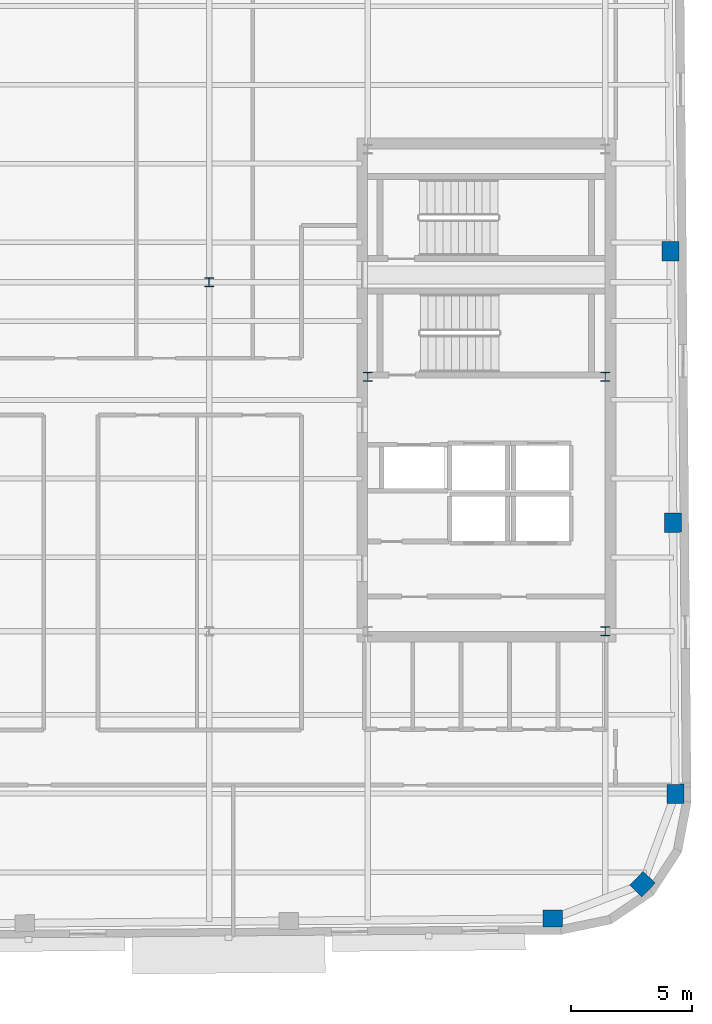
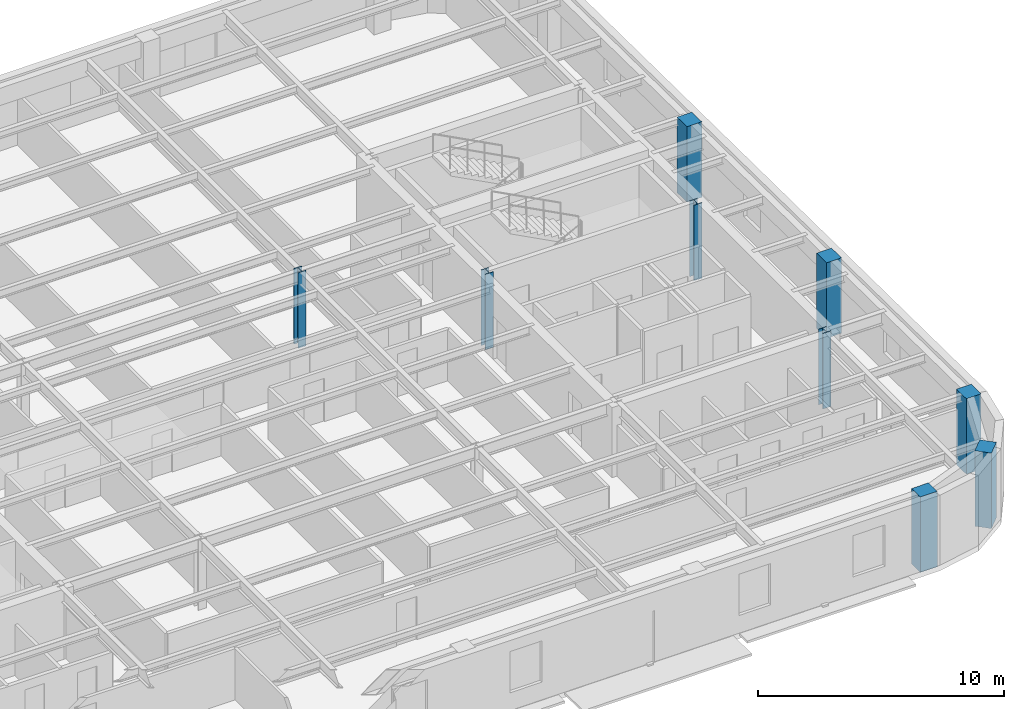
# One storey, part 2 of 13: 9 columns.
"""IFC4 building model written with IfcOpenShell, lengths in metres."""

import ifcopenshell
import ifcopenshell.guid

model = None  # the IFC model being written
_history = None  # IfcOwnerHistory: only IFC2X3 demands one
_inside = {}  # id of a spatial element -> (the spatial element, [elements in it])
_under = {}  # id of a project, library or spatial element -> (it, [spatial elements below it])
_declared = {}  # id of a project -> (the project, [libraries it declares])
_typed = {}  # id of a type object -> (the type object, [elements of that type])
_made_of = {}  # id of a material, layer set ... -> (it, [elements and type objects made of it])


def new_model(schema):
    """Start an empty IFC model of exactly this schema.

    Asked for "IFC4X3", IfcOpenShell would pick the latest addendum, in which some entities
    have other attributes; the version numbers below select the first issue.
    IFC2X3 requires an IfcOwnerHistory on every rooted entity: one is made here for all.
    """
    global model, _history
    if schema == "IFC4X3":
        model = ifcopenshell.file(schema_version=(4, 3, 0, 0))
    else:
        model = ifcopenshell.file(schema=schema)
    _inside.clear()
    _under.clear()
    _declared.clear()
    _typed.clear()
    _made_of.clear()
    _history = None
    if model.schema == "IFC2X3":
        org = make("IfcOrganization", Name="unknown")
        user = make(
            "IfcPersonAndOrganization",
            ThePerson=make("IfcPerson", FamilyName="unknown"),
            TheOrganization=org,
        )
        app = make(
            "IfcApplication",
            ApplicationDeveloper=org,
            Version="unknown",
            ApplicationFullName="unknown",
            ApplicationIdentifier="unknown",
        )
        _history = make(
            "IfcOwnerHistory",
            OwningUser=user,
            OwningApplication=app,
            ChangeAction="ADDED",
            CreationDate=0,
        )
    return model


def make(cls, **values):
    """One entity of the class cls with the attributes given. An attribute that is None is left unset."""
    return model.create_entity(
        cls, **{name: value for name, value in values.items() if value is not None}
    )


def rooted(cls, **values):
    """An entity with a GlobalId (a new one), such as an element, a storey or a relation."""
    return make(cls, GlobalId=ifcopenshell.guid.new(), OwnerHistory=_history, **values)


def si_unit(unit_type, name, prefix=None):
    """IfcSIUnit, for example si_unit("LENGTHUNIT", "METRE", prefix="MILLI")."""
    return make("IfcSIUnit", UnitType=unit_type, Prefix=prefix, Name=name)


def assignment(units):
    """IfcUnitAssignment: the units of a project."""
    return None if units is None else make("IfcUnitAssignment", Units=units)


def point(xyz):
    """IfcCartesianPoint."""
    return None if xyz is None else make("IfcCartesianPoint", Coordinates=xyz)


def direction(xyz):
    """IfcDirection."""
    return None if xyz is None else make("IfcDirection", DirectionRatios=xyz)


def frame(location, z_axis=None, x_axis=None):
    """IfcAxis2Placement3D, a coordinate frame: its origin and axes. An axis left out is left unset."""
    return make(
        "IfcAxis2Placement3D",
        Location=point(location),
        Axis=direction(z_axis),
        RefDirection=direction(x_axis),
    )


def frame_2d(location, x_axis=None):
    """IfcAxis2Placement2D, a coordinate frame in the plane: its origin and x axis."""
    return make(
        "IfcAxis2Placement2D", Location=point(location), RefDirection=direction(x_axis)
    )


def origin():
    """The frame at (0, 0, 0) with its axes left unset."""
    return frame((0.0, 0.0, 0.0))


def origin_2d():
    """The frame at (0, 0) in the plane with its x axis left unset."""
    return frame_2d((0.0, 0.0))


def place(relative_to, where):
    """IfcLocalPlacement: puts the frame where relative to a parent placement (None: the world)."""
    return make(
        "IfcLocalPlacement", PlacementRelTo=relative_to, RelativePlacement=where
    )


def context(
    kind, dimensions, precision=None, world=None, true_north=None, identifier=None
):
    """IfcGeometricRepresentationContext, for example the 3D "Model" context."""
    return make(
        "IfcGeometricRepresentationContext",
        ContextIdentifier=identifier,
        ContextType=kind,
        CoordinateSpaceDimension=dimensions,
        Precision=precision,
        WorldCoordinateSystem=world,
        TrueNorth=true_north,
    )


def subcontext(parent, identifier, kind, view, scale=None):
    """IfcGeometricRepresentationSubContext, for example "Body" below "Model"."""
    return make(
        "IfcGeometricRepresentationSubContext",
        ContextIdentifier=identifier,
        ContextType=kind,
        ParentContext=parent,
        TargetScale=scale,
        TargetView=view,
    )


def project(units=None, contexts=None):
    """IfcProject with its units and contexts."""
    return rooted(
        "IfcProject",
        Name="project",
        RepresentationContexts=contexts,
        UnitsInContext=assignment(units),
    )


def spatial(cls, under=None, at=None, **own):
    """A site, building, storey or space (cls), placed at a placement, below another one or the project."""
    s = rooted(cls, ObjectPlacement=at, **own)
    if under is not None:
        _under.setdefault(under.id(), (under, []))[1].append(s)
    return s


def profile(cls, at=None, kind="AREA", **sizes):
    """A parametric profile (cls). Its sizes go by their IFC names, for example OverallWidth=200.0."""
    return make(cls, ProfileType=kind, Position=at, **sizes)


def rectangle(**sizes):
    """IfcRectangleProfileDef."""
    return profile("IfcRectangleProfileDef", **sizes)


def i_section(**sizes):
    """IfcIShapeProfileDef."""
    return profile("IfcIShapeProfileDef", **sizes)


def extrude(swept, where, along, depth):
    """IfcExtrudedAreaSolid: the profile swept, set in the frame where, extruded along a direction by depth."""
    return make(
        "IfcExtrudedAreaSolid",
        SweptArea=swept,
        Position=where,
        ExtrudedDirection=direction(along),
        Depth=depth,
    )


def shape(context_of_items, identifier, shape_type, items):
    """IfcShapeRepresentation: the items that make up one representation, for example the "Body"."""
    return make(
        "IfcShapeRepresentation",
        ContextOfItems=context_of_items,
        RepresentationIdentifier=identifier,
        RepresentationType=shape_type,
        Items=items,
    )


def material(Name=None, Category=None):
    """IfcMaterial."""
    return make("IfcMaterial", Name=Name, Category=Category)


def material_profile(
    of_material, cross_section, Name=None, Category=None, Priority=None
):
    """IfcMaterialProfile: a cross section and its material."""
    return make(
        "IfcMaterialProfile",
        Name=Name,
        Material=of_material,
        Profile=cross_section,
        Priority=Priority,
        Category=Category,
    )


def profile_set(profiles, Name=None, composite=None):
    """IfcMaterialProfileSet."""
    return make(
        "IfcMaterialProfileSet",
        Name=Name,
        MaterialProfiles=profiles,
        CompositeProfile=composite,
    )


def made_of(thing, what):
    """Note that an element or type object is made of a material, layer set ...; save() writes the relation."""
    if what is not None:
        _made_of.setdefault(what.id(), (what, []))[1].append(thing)
    return thing


def type_object(cls, material=None, **own):
    """A type object (cls), such as IfcWallType, which elements share."""
    return made_of(rooted(cls, **own), material)


def element(
    cls,
    number,
    at=None,
    inside=None,
    cuts=None,
    type_object=None,
    material=None,
    context=None,
    identifier="Body",
    shape_type=None,
    held_by="IfcProductDefinitionShape",
    body=None,
    shapes=None,
    **own,
):
    """One element of the class cls, such as IfcWall. Its Tag is "e" and its number.

    at: its placement. inside: the storey or other place that contains it. cuts: it is an
    opening in that element (IfcRelVoidsElement). A single representation is given by context,
    identifier, shape_type and body (its items); several are given by shapes. held_by: the class
    of the entity that holds the representations. save() writes the other relations.
    """
    e = rooted(cls, Tag="e%d" % number, ObjectPlacement=at, **own)
    if body is not None:
        shapes = [shape(context, identifier, shape_type, body)]
    if shapes is not None:
        e.Representation = make(held_by, Representations=shapes)
    if inside is not None:
        _inside.setdefault(inside.id(), (inside, []))[1].append(e)
    if cuts is not None:
        rooted(
            "IfcRelVoidsElement", RelatingBuildingElement=cuts, RelatedOpeningElement=e
        )
    if type_object is not None:
        _typed.setdefault(type_object.id(), (type_object, []))[1].append(e)
    return made_of(e, material)


def aggregate(whole, parts):
    """IfcRelAggregates: a whole, such as a stair, and the parts it consists of."""
    return rooted("IfcRelAggregates", RelatingObject=whole, RelatedObjects=parts)


def save(model, path):
    """Write the relations noted so far, then the file.

    IfcRelAggregates (storeys below a building ...), IfcRelContainedInSpatialStructure (elements
    in a storey), IfcRelDefinesByType, IfcRelAssociatesMaterial and IfcRelDeclares: one each for
    every whole, place, type object, material and project.
    """
    for whole, parts in _under.values():
        aggregate(whole, parts)
    for where, things in _inside.values():
        rooted(
            "IfcRelContainedInSpatialStructure",
            RelatedElements=things,
            RelatingStructure=where,
        )
    for kind, things in _typed.values():
        rooted("IfcRelDefinesByType", RelatedObjects=things, RelatingType=kind)
    for what, things in _made_of.values():
        rooted("IfcRelAssociatesMaterial", RelatedObjects=things, RelatingMaterial=what)
    for by, libraries in _declared.values():
        rooted("IfcRelDeclares", RelatingContext=by, RelatedDefinitions=libraries)
    model.write(path)


model = new_model("IFC4")

# Units and contexts
model_context = context("Model", 3, precision=1e-05, world=origin(), true_north=direction((0.0, 1.0)))
body_context = subcontext(model_context, "Body", "Model", "MODEL_VIEW")
ifc_project = project(units=[si_unit("LENGTHUNIT", "METRE"), si_unit("AREAUNIT", "SQUARE_METRE"), si_unit("VOLUMEUNIT", "CUBIC_METRE"), si_unit("PLANEANGLEUNIT", "RADIAN"), si_unit("MASSUNIT", "GRAM", prefix="KILO")], contexts=[model_context])

# Site, building, storey
site_placement = place(None, origin())
site = spatial("IfcSite", under=ifc_project, at=site_placement, CompositionType="ELEMENT")
building_placement = place(site_placement, origin())
building = spatial("IfcBuilding", under=site, at=building_placement, Name="Kolvaren Arena Tower", CompositionType="ELEMENT")
storey_placement = place(building_placement, frame((0.0, 0.0, 301.14990234375)))
storey = spatial("IfcBuildingStorey", under=building, at=storey_placement, Name="L74", CompositionType="ELEMENT", Elevation=301.14990234375)

# Columns
ifc_material_1 = material(Name="Precast concrete C50/60", Category="concrete")
ifc_material_profile_1 = material_profile(ifc_material_1, rectangle(XDim=0.800048828125, YDim=0.699951171875, at=origin_2d()), Name="RC-800x700")
ifc_profile_set_1 = profile_set([ifc_material_profile_1], Name="Precast concrete C50/60")
column_type_1 = type_object("IfcColumnType", Name="EXCOL-Z5", PredefinedType="COLUMN", material=ifc_profile_set_1)
for number, where, z_axis, x_axis, name in (
    (1, (58.190185546875, 7.591064453125, -0.27001953125), (0.0, 0.0, 1.0), (0.999961923064, 0.008726535498, 0.0), "Exoskeleton Perimeter Column 05 (L74)"),
    (2, (61.88671875, 9.0146484375, -0.27001953125), (0.0, 0.0, 1.0), (0.7009092643, 0.713250449154, 0.0), "Exoskeleton Perimeter Column 06 (L74)"),
    (3, (63.24560546875, 12.7353515625, -0.27001953125), (0.0, 0.0, 1.0), (-0.008726535498, 0.999961923064, 0.0), "Exoskeleton Perimeter Column 07 (L74)"),
    (4, (63.147705078125, 23.93505859375, -0.27001953125), (0.0, 0.0, 1.0), (-0.008726535498, 0.999961923064, 0.0), "Exoskeleton Perimeter Column 08 (L74)"),
    (5, (63.050048828125, 35.134521484375, -0.27001953125), (0.0, 0.0, 1.0), (-0.008726535498, 0.999961923064, 0.0), "Exoskeleton Perimeter Column 09 (L74)"),
):
    element("IfcColumn", number, at=place(storey_placement, frame(where, z_axis=z_axis, x_axis=x_axis)), inside=storey, type_object=column_type_1, Name=name, PredefinedType="COLUMN", context=body_context, shape_type="SweptSolid", body=[
        extrude(rectangle(XDim=0.800048828125, YDim=0.699951171875, at=origin_2d()), origin(), (0.0, 0.0, 1.0), 3.75),
    ])
ifc_material_2 = material(Name="Steel ASTM A913 Grade 65", Category="steel")
ifc_material_profile_2 = material_profile(ifc_material_2, i_section(OverallWidth=0.3740234375, OverallDepth=0.3720703125, WebThickness=0.016357421875, FlangeThickness=0.026123046875, FilletRadius=0.02001953125, at=origin_2d()), Name="W360x196")
ifc_profile_set_2 = profile_set([ifc_material_profile_2], Name="Steel ASTM A913 Grade 65")
column_type_2 = type_object("IfcColumnType", Name="SCOL-Z5", PredefinedType="COLUMN", material=ifc_profile_set_2)
for number, where, z_axis, x_axis, name in (
    (6, (60.35009765625, 19.449951171875, -0.27001953125), (0.0, 0.0, 1.0), (1.0, 0.0, 0.0), "Core Boundary Column EC-SE (L74)"),
    (7, (50.550048828125, 29.949951171875, -0.27001953125), (0.0, 0.0, 1.0), (1.0, 0.0, 0.0), "Core Boundary Column EC-MW (L74)"),
    (8, (60.35009765625, 29.949951171875, -0.27001953125), (0.0, 0.0, 1.0), (1.0, 0.0, 0.0), "Core Boundary Column EC-ME (L74)"),
    (9, (44.0, 33.85009765625, -0.27001953125), (0.0, 0.0, 1.0), (1.0, 0.0, 0.0), "Interior Gravity Column TC-NE (L74)"),
):
    element("IfcColumn", number, at=place(storey_placement, frame(where, z_axis=z_axis, x_axis=x_axis)), inside=storey, type_object=column_type_2, Name=name, PredefinedType="COLUMN", context=body_context, shape_type="SweptSolid", body=[
        extrude(i_section(OverallWidth=0.3740234375, OverallDepth=0.3720703125, WebThickness=0.016357421875, FlangeThickness=0.026123046875, FilletRadius=0.02001953125, at=origin_2d()), origin(), (0.0, 0.0, 1.0), 3.75),
    ])

save(model, "model.ifc")
